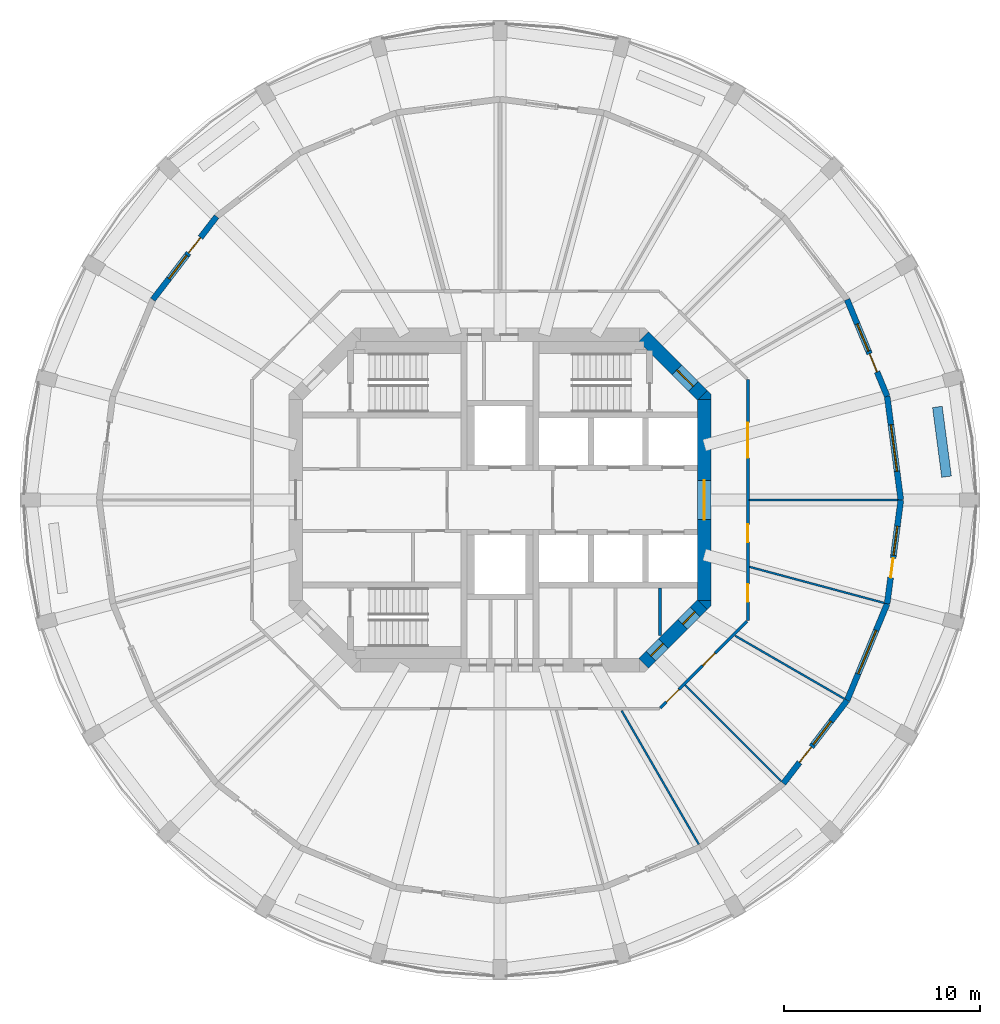
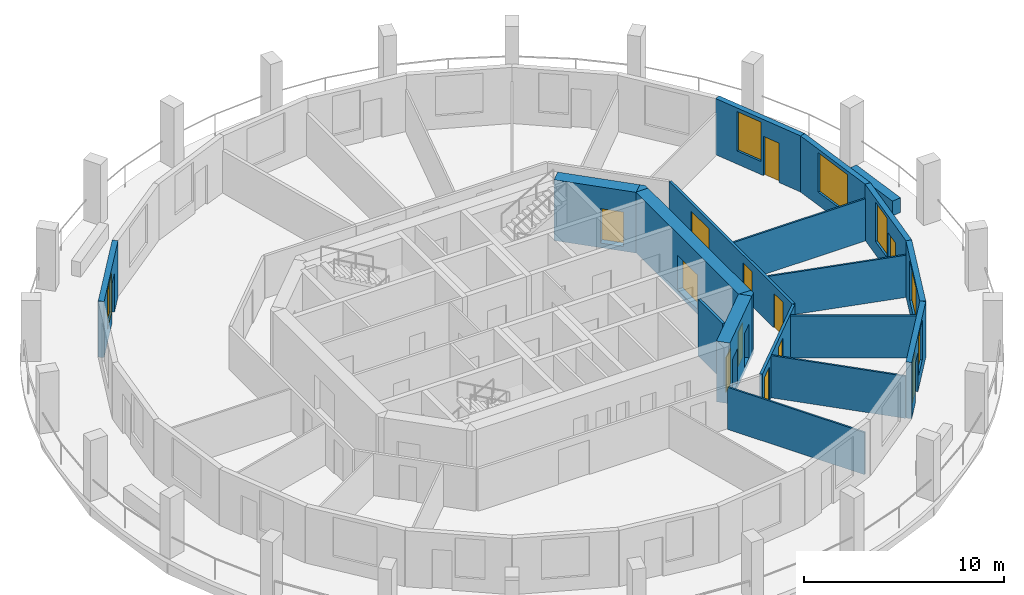
# One storey, part 5 of 9: 20 walls, 13 doors, 6 windows, 19 openings.
"""IFC4 building model written with IfcOpenShell, lengths in metres."""

from ifc_helpers import new_model, si_unit, direction, frame, frame_2d, origin, place, context, subcontext, project, spatial, polyline, rectangle, outline, extrude, material, layer, layer_set, type_object, element, fill, save


model = new_model("IFC4")

# Units and contexts
model_context = context("Model", 3, precision=1e-05, world=origin(), true_north=direction((0.0, 1.0)))
body_context = subcontext(model_context, "Body", "Model", "MODEL_VIEW")
ifc_project = project(units=[si_unit("LENGTHUNIT", "METRE"), si_unit("AREAUNIT", "SQUARE_METRE"), si_unit("VOLUMEUNIT", "CUBIC_METRE"), si_unit("PLANEANGLEUNIT", "RADIAN"), si_unit("MASSUNIT", "GRAM", prefix="KILO")], contexts=[model_context])

# Site, building, storey
site_placement = place(None, origin())
site = spatial("IfcSite", under=ifc_project, at=site_placement, CompositionType="ELEMENT")
building_placement = place(site_placement, origin())
building = spatial("IfcBuilding", under=site, at=building_placement, Name="Torre Triforio", CompositionType="ELEMENT")
storey_placement = place(building_placement, frame((0.0, 0.0, 229.800048828125)))
storey = spatial("IfcBuildingStorey", under=building, at=storey_placement, Name="L52", CompositionType="ELEMENT", Elevation=229.800048828125)

# Wall, opening, door
ifc_material_1 = material(Name="Concrete C50", Category="concrete")
ifc_layer_1 = layer(ifc_material_1, 0.699951171875)
ifc_layer_set_1 = layer_set([ifc_layer_1], Name="Concrete C50")
wall_type_1 = type_object("IfcWallType", Name="Core wall 700 mm C50 EI 120", PredefinedType="SHEAR", material=ifc_layer_set_1)
wall_1_placement = place(storey_placement, frame((10.449951171875, -5.1298828125, -0.280029296875), z_axis=(0.0, 0.0, 1.0), x_axis=(0.0, 1.0, 0.0)))
wall_1 = element("IfcWall", 1, at=wall_1_placement, inside=storey, type_object=wall_type_1, Name="Core wall", PredefinedType="SHEAR", context=body_context, shape_type="SweptSolid", body=[
    extrude(rectangle(XDim=10.259765625, YDim=0.699951171875, at=frame_2d((5.1298828125, 0.0))), origin(), (0.0, 0.0, 1.0), 3.699951171875),
])
opening_1_placement = place(wall_1_placement, frame((4.1298828125, 0.0, 0.280029296875)))
opening_1 = element("IfcOpeningElement", 2, at=opening_1_placement, cuts=wall_1, Name="Opening E-RING", PredefinedType="OPENING", context=body_context, shape_type="SweptSolid", body=[
    extrude(rectangle(XDim=2.0, YDim=2.10009765625, at=frame_2d((1.0, 1.050048828125))), frame((0.0, 0.35986328125, 0.0), z_axis=(0.0, -1.0, 0.0), x_axis=(1.0, 0.0, 0.0)), (0.0, 0.0, 1.0), 0.719970703125),
])
ifc_material_2 = material(Name="Hollow metal fire door leaf")
door_type_1 = type_object("IfcDoorType", Name="Lobby door 2000 x 2100 EI 60", OperationType="DOUBLE_DOOR_SINGLE_SWING", PredefinedType="DOOR", material=ifc_material_2)
door_1_placement = place(opening_1_placement, origin())
door_1 = element("IfcDoor", 3, at=door_1_placement, inside=storey, type_object=door_type_1, Name="Core door E-RING", OperationType="DOUBLE_DOOR_SINGLE_SWING", OverallHeight=2.10009765625, OverallWidth=2.0, PredefinedType="DOOR", context=body_context, shape_type="SweptSolid", body=[
    extrude(rectangle(XDim=2.0, YDim=2.10009765625, at=frame_2d((1.0, 1.050048828125))), frame((0.0, 0.02490234375, 0.0), z_axis=(0.0, -1.0, 0.0), x_axis=(1.0, 0.0, 0.0)), (0.0, 0.0, 1.0), 0.050048828125),
])
fill(opening_1, door_1)

wall_2_placement = place(storey_placement, frame((7.347412109375, 8.347412109375, -0.280029296875), z_axis=(0.0, 0.0, 1.0), x_axis=(0.707106781187, -0.707106781187, 0.0)))
wall_2 = element("IfcWall", 4, at=wall_2_placement, inside=storey, type_object=wall_type_1, Name="Core wall", PredefinedType="SHEAR", context=body_context, shape_type="SweptSolid", body=[
    extrude(rectangle(XDim=4.24267578125, YDim=0.699951171875, at=frame_2d((2.121337890625, 0.0))), origin(), (0.0, 0.0, 1.0), 3.699951171875),
])
opening_2_placement = place(wall_2_placement, frame((2.392578125, 0.0, 0.280029296875)))
opening_2 = element("IfcOpeningElement", 5, at=opening_2_placement, cuts=wall_2, Name="Opening ST2-EXIT", PredefinedType="OPENING", context=body_context, shape_type="SweptSolid", body=[
    extrude(rectangle(XDim=1.199951171875, YDim=2.10009765625, at=frame_2d((0.60009765625, 1.050048828125))), frame((0.0, 0.35986328125, 0.0), z_axis=(0.0, -1.0, 0.0), x_axis=(1.0, 0.0, 0.0)), (0.0, 0.0, 1.0), 0.719970703125),
])
door_type_2 = type_object("IfcDoorType", Name="Stair lobby door 1200 x 2100 EI 60", OperationType="NOTDEFINED", PredefinedType="DOOR", material=ifc_material_2)
door_2_placement = place(opening_2_placement, origin())
door_2 = element("IfcDoor", 6, at=door_2_placement, inside=storey, type_object=door_type_2, Name="Core door ST2-EXIT", OperationType="SINGLE_SWING_RIGHT", OverallHeight=2.10009765625, OverallWidth=1.199951171875, PredefinedType="DOOR", context=body_context, shape_type="SweptSolid", body=[
    extrude(rectangle(XDim=1.199951171875, YDim=2.10009765625, at=frame_2d((0.60009765625, 1.050048828125))), frame((0.0, 0.02490234375, 0.0), z_axis=(0.0, -1.0, 0.0), x_axis=(1.0, 0.0, 0.0)), (0.0, 0.0, 1.0), 0.050048828125),
])
fill(opening_2, door_2)

# Wall, openings, doors
wall_3_placement = place(storey_placement, frame((10.347412109375, -5.347412109375, -0.280029296875), z_axis=(0.0, 0.0, 1.0), x_axis=(-0.707106781187, -0.707106781187, 0.0)))
wall_3 = element("IfcWall", 7, at=wall_3_placement, inside=storey, type_object=wall_type_1, Name="Core wall", PredefinedType="SHEAR", context=body_context, shape_type="SweptSolid", body=[
    extrude(rectangle(XDim=4.24267578125, YDim=0.699951171875, at=frame_2d((2.121337890625, 0.0))), origin(), (0.0, 0.0, 1.0), 3.699951171875),
])
opening_3_placement = place(wall_3_placement, frame((2.82275390625, 0.0, 0.280029296875)))
opening_3 = element("IfcOpeningElement", 8, at=opening_3_placement, cuts=wall_3, Name="Opening SE-03", PredefinedType="OPENING", context=body_context, shape_type="SweptSolid", body=[
    extrude(rectangle(XDim=0.89990234375, YDim=2.10009765625, at=frame_2d((0.449951171875, 1.050048828125))), frame((0.0, 0.35986328125, 0.0), z_axis=(0.0, -1.0, 0.0), x_axis=(1.0, 0.0, 0.0)), (0.0, 0.0, 1.0), 0.719970703125),
])
opening_4_placement = place(wall_3_placement, frame((0.52001953125, 0.0, 0.280029296875)))
opening_4 = element("IfcOpeningElement", 9, at=opening_4_placement, cuts=wall_3, Name="Opening SE-04", PredefinedType="OPENING", context=body_context, shape_type="SweptSolid", body=[
    extrude(rectangle(XDim=0.89990234375, YDim=2.10009765625, at=frame_2d((0.449951171875, 1.050048828125))), frame((0.0, 0.35986328125, 0.0), z_axis=(0.0, -1.0, 0.0), x_axis=(1.0, 0.0, 0.0)), (0.0, 0.0, 1.0), 0.719970703125),
])
door_type_3 = type_object("IfcDoorType", Name="Room door 900 x 2100 EI 60", OperationType="NOTDEFINED", PredefinedType="DOOR", material=ifc_material_2)
door_3_placement = place(opening_3_placement, origin())
door_3 = element("IfcDoor", 10, at=door_3_placement, inside=storey, type_object=door_type_3, Name="Core door SE-03", OperationType="SINGLE_SWING_RIGHT", OverallHeight=2.10009765625, OverallWidth=0.89990234375, PredefinedType="DOOR", context=body_context, shape_type="SweptSolid", body=[
    extrude(rectangle(XDim=0.89990234375, YDim=2.10009765625, at=frame_2d((0.449951171875, 1.050048828125))), frame((0.0, 0.02490234375, 0.0), z_axis=(0.0, -1.0, 0.0), x_axis=(1.0, 0.0, 0.0)), (0.0, 0.0, 1.0), 0.050048828125),
])
fill(opening_3, door_3)
door_4_placement = place(opening_4_placement, origin())
door_4 = element("IfcDoor", 11, at=door_4_placement, inside=storey, type_object=door_type_3, Name="Core door SE-04", OperationType="SINGLE_SWING_LEFT", OverallHeight=2.10009765625, OverallWidth=0.89990234375, PredefinedType="DOOR", context=body_context, shape_type="SweptSolid", body=[
    extrude(rectangle(XDim=0.89990234375, YDim=2.10009765625, at=frame_2d((0.449951171875, 1.050048828125))), frame((0.0, 0.02490234375, 0.0), z_axis=(0.0, -1.0, 0.0), x_axis=(1.0, 0.0, 0.0)), (0.0, 0.0, 1.0), 0.050048828125),
])
fill(opening_4, door_4)

# Walls
wall_4_placement = place(storey_placement, frame((0.0, 0.0, -0.280029296875)))
element("IfcWall", 12, at=wall_4_placement, inside=storey, type_object=wall_type_1, Name="Core wall", PredefinedType="SHEAR", context=body_context, shape_type="SweptSolid", body=[
    extrude(outline(polyline([(10.800048828125, -5.389892578125), (10.594970703125, -5.594970703125), (10.594970703125, -5.594970703125), (10.594970703125, -5.594970703125), (10.1298828125, -5.1298828125), (10.800048828125, -5.1298828125), (10.800048828125, -5.1298828125), (10.800048828125, -5.389892578125)])), origin(), (0.0, 0.0, 1.0), 3.699951171875),
])
wall_5_placement = place(storey_placement, frame((0.0, 0.0, -0.280029296875)))
element("IfcWall", 13, at=wall_5_placement, inside=storey, type_object=wall_type_1, Name="Core wall", PredefinedType="SHEAR", context=body_context, shape_type="SweptSolid", body=[
    extrude(outline(polyline([(10.800048828125, 5.389892578125), (10.800048828125, 5.1298828125), (10.800048828125, 5.1298828125), (10.1298828125, 5.1298828125), (10.594970703125, 5.594970703125), (10.594970703125, 5.594970703125), (10.594970703125, 5.594970703125), (10.800048828125, 5.389892578125)])), origin(), (0.0, 0.0, 1.0), 3.699951171875),
])

# Wall, openings, doors
ifc_material_3 = material(Name="Plasterboard on metal studs")
ifc_layer_2 = layer(ifc_material_3, 0.14990234375)
ifc_layer_set_2 = layer_set([ifc_layer_2], Name="Plasterboard on metal studs")
wall_type_2 = type_object("IfcWallType", Name="Corridor and tenancy wall 150 mm EI 60", PredefinedType="PARTITIONING", material=ifc_layer_set_2)
wall_6_placement = place(storey_placement, frame((12.637939453125, -6.20361328125, 0.0), z_axis=(0.0, 0.0, 1.0), x_axis=(-0.707106781187, -0.707106781187, 0.0)))
wall_6 = element("IfcWall", 14, at=wall_6_placement, inside=storey, type_object=wall_type_2, Name="Partition 1", PredefinedType="PARTITIONING", context=body_context, shape_type="SweptSolid", body=[
    extrude(rectangle(XDim=6.27099609375, YDim=0.14990234375, at=frame_2d((3.135498046875, 0.0))), origin(), (0.0, 0.0, 1.0), 2.570068359375),
])
opening_5_placement = place(wall_6_placement, frame((4.935302734375, 0.0, 0.0)))
opening_5 = element("IfcOpeningElement", 15, at=opening_5_placement, cuts=wall_6, Name="Opening O7-07", PredefinedType="OPENING", context=body_context, shape_type="SweptSolid", body=[
    extrude(rectangle(XDim=0.89990234375, YDim=2.10009765625, at=frame_2d((0.449951171875, 1.050048828125))), frame((0.0, 0.0849609375, 0.0), z_axis=(0.0, -1.0, 0.0), x_axis=(1.0, 0.0, 0.0)), (0.0, 0.0, 1.0), 0.169921875),
])
opening_6_placement = place(wall_6_placement, frame((2.313720703125, 0.0, 0.0)))
opening_6 = element("IfcOpeningElement", 16, at=opening_6_placement, cuts=wall_6, Name="Opening O7-08", PredefinedType="OPENING", context=body_context, shape_type="SweptSolid", body=[
    extrude(rectangle(XDim=0.89990234375, YDim=2.10009765625, at=frame_2d((0.449951171875, 1.050048828125))), frame((0.0, 0.0849609375, 0.0), z_axis=(0.0, -1.0, 0.0), x_axis=(1.0, 0.0, 0.0)), (0.0, 0.0, 1.0), 0.169921875),
])
ifc_material_4 = material(Name="Timber", Category="wood")
door_type_4 = type_object("IfcDoorType", Name="Door 900 x 2100 single leaf EI 30", OperationType="NOTDEFINED", PredefinedType="DOOR", material=ifc_material_4)
door_5_placement = place(opening_5_placement, origin())
door_5 = element("IfcDoor", 17, at=door_5_placement, inside=storey, type_object=door_type_4, Name="Door O7-07", OperationType="SINGLE_SWING_LEFT", OverallHeight=2.10009765625, OverallWidth=0.89990234375, PredefinedType="DOOR", context=body_context, shape_type="SweptSolid", body=[
    extrude(rectangle(XDim=0.89990234375, YDim=2.10009765625, at=frame_2d((0.449951171875, 1.050048828125))), frame((0.0, 0.02490234375, 0.0), z_axis=(0.0, -1.0, 0.0), x_axis=(1.0, 0.0, 0.0)), (0.0, 0.0, 1.0), 0.050048828125),
])
fill(opening_5, door_5)
door_6_placement = place(opening_6_placement, origin())
door_6 = element("IfcDoor", 18, at=door_6_placement, inside=storey, type_object=door_type_4, Name="Door O7-08", OperationType="SINGLE_SWING_LEFT", OverallHeight=2.10009765625, OverallWidth=0.89990234375, PredefinedType="DOOR", context=body_context, shape_type="SweptSolid", body=[
    extrude(rectangle(XDim=0.89990234375, YDim=2.10009765625, at=frame_2d((0.449951171875, 1.050048828125))), frame((0.0, 0.02490234375, 0.0), z_axis=(0.0, -1.0, 0.0), x_axis=(1.0, 0.0, 0.0)), (0.0, 0.0, 1.0), 0.050048828125),
])
fill(opening_6, door_6)

wall_7_placement = place(storey_placement, frame((12.675048828125, 6.16650390625, 0.0), z_axis=(0.0, 0.0, 1.0), x_axis=(0.0, -1.0, 0.0)))
wall_7 = element("IfcWall", 19, at=wall_7_placement, inside=storey, type_object=wall_type_2, Name="Partition 10", PredefinedType="PARTITIONING", context=body_context, shape_type="SweptSolid", body=[
    extrude(rectangle(XDim=12.3330078125, YDim=0.14990234375, at=frame_2d((6.16650390625, 0.0))), origin(), (0.0, 0.0, 1.0), 2.570068359375),
])
opening_7_placement = place(wall_7_placement, frame((10.47314453125, 0.0, 0.0)))
opening_7 = element("IfcOpeningElement", 20, at=opening_7_placement, cuts=wall_7, Name="Opening O7-09", PredefinedType="OPENING", context=body_context, shape_type="SweptSolid", body=[
    extrude(rectangle(XDim=0.89990234375, YDim=2.10009765625, at=frame_2d((0.449951171875, 1.050048828125))), frame((0.0, 0.0849609375, 0.0), z_axis=(0.0, -1.0, 0.0), x_axis=(1.0, 0.0, 0.0)), (0.0, 0.0, 1.0), 0.169921875),
])
opening_8_placement = place(wall_7_placement, frame((7.41552734375, 0.0, 0.0)))
opening_8 = element("IfcOpeningElement", 21, at=opening_8_placement, cuts=wall_7, Name="Opening O7-10", PredefinedType="OPENING", context=body_context, shape_type="SweptSolid", body=[
    extrude(rectangle(XDim=0.89990234375, YDim=2.10009765625, at=frame_2d((0.449951171875, 1.050048828125))), frame((0.0, 0.0849609375, 0.0), z_axis=(0.0, -1.0, 0.0), x_axis=(1.0, 0.0, 0.0)), (0.0, 0.0, 1.0), 0.169921875),
])
opening_9_placement = place(wall_7_placement, frame((2.208251953125, 0.0, 0.0)))
opening_9 = element("IfcOpeningElement", 22, at=opening_9_placement, cuts=wall_7, Name="Opening O7-11", PredefinedType="OPENING", context=body_context, shape_type="SweptSolid", body=[
    extrude(rectangle(XDim=1.800048828125, YDim=2.10009765625, at=frame_2d((0.89990234375, 1.050048828125))), frame((0.0, 0.0849609375, 0.0), z_axis=(0.0, -1.0, 0.0), x_axis=(1.0, 0.0, 0.0)), (0.0, 0.0, 1.0), 0.169921875),
])
door_type_5 = type_object("IfcDoorType", Name="Door 1800 x 2100 double leaf EI 30", OperationType="DOUBLE_DOOR_SINGLE_SWING", PredefinedType="DOOR", material=ifc_material_4)
door_7_placement = place(opening_9_placement, origin())
door_7 = element("IfcDoor", 23, at=door_7_placement, inside=storey, type_object=door_type_5, Name="Door O7-11", OperationType="DOUBLE_DOOR_SINGLE_SWING", OverallHeight=2.10009765625, OverallWidth=1.800048828125, PredefinedType="DOOR", context=body_context, shape_type="SweptSolid", body=[
    extrude(rectangle(XDim=1.800048828125, YDim=2.10009765625, at=frame_2d((0.89990234375, 1.050048828125))), frame((0.0, 0.02490234375, 0.0), z_axis=(0.0, -1.0, 0.0), x_axis=(1.0, 0.0, 0.0)), (0.0, 0.0, 1.0), 0.050048828125),
])
fill(opening_9, door_7)
door_8_placement = place(opening_7_placement, origin())
door_8 = element("IfcDoor", 24, at=door_8_placement, inside=storey, type_object=door_type_4, Name="Door O7-09", OperationType="SINGLE_SWING_RIGHT", OverallHeight=2.10009765625, OverallWidth=0.89990234375, PredefinedType="DOOR", context=body_context, shape_type="SweptSolid", body=[
    extrude(rectangle(XDim=0.89990234375, YDim=2.10009765625, at=frame_2d((0.449951171875, 1.050048828125))), frame((0.0, 0.02490234375, 0.0), z_axis=(0.0, -1.0, 0.0), x_axis=(1.0, 0.0, 0.0)), (0.0, 0.0, 1.0), 0.050048828125),
])
fill(opening_7, door_8)
door_9_placement = place(opening_8_placement, origin())
door_9 = element("IfcDoor", 25, at=door_9_placement, inside=storey, type_object=door_type_4, Name="Door O7-10", OperationType="SINGLE_SWING_LEFT", OverallHeight=2.10009765625, OverallWidth=0.89990234375, PredefinedType="DOOR", context=body_context, shape_type="SweptSolid", body=[
    extrude(rectangle(XDim=0.89990234375, YDim=2.10009765625, at=frame_2d((0.449951171875, 1.050048828125))), frame((0.0, 0.02490234375, 0.0), z_axis=(0.0, -1.0, 0.0), x_axis=(1.0, 0.0, 0.0)), (0.0, 0.0, 1.0), 0.050048828125),
])
fill(opening_8, door_9)

# Walls
ifc_layer_3 = layer(ifc_material_3, 0.10009765625)
ifc_layer_set_3 = layer_set([ifc_layer_3], Name="Plasterboard on metal studs")
wall_type_3 = type_object("IfcWallType", Name="Partition 100 mm board on metal studs", PredefinedType="PARTITIONING", material=ifc_layer_set_3)
wall_8_placement = place(storey_placement, frame((12.75, 0.0, 0.0), z_axis=(0.0, 0.0, 1.0), x_axis=(1.0, 0.0, 0.0)))
element("IfcWall", 26, at=wall_8_placement, inside=storey, type_object=wall_type_3, Name="Partition 11", PredefinedType="PARTITIONING", context=body_context, shape_type="SweptSolid", body=[
    extrude(rectangle(XDim=7.586669921875, YDim=0.10009765625, at=frame_2d((3.79345703125, 0.0))), origin(), (0.0, 0.0, 1.0), 2.570068359375),
])
wall_9_placement = place(storey_placement, frame((6.220703125, -10.774658203125, 0.0), z_axis=(0.0, 0.0, 1.0), x_axis=(0.500016891966, -0.866015650984, 0.0)))
element("IfcWall", 27, at=wall_9_placement, inside=storey, type_object=wall_type_3, Name="Partition 23", PredefinedType="PARTITIONING", context=body_context, shape_type="SweptSolid", body=[
    extrude(rectangle(XDim=7.895263671875, YDim=0.10009765625, at=frame_2d((3.94775390625, 0.0))), origin(), (0.0, 0.0, 1.0), 2.570068359375),
])
wall_10_placement = place(storey_placement, frame((9.473876953125, -9.473876953125, 0.0), z_axis=(0.0, 0.0, 1.0), x_axis=(0.707106781187, -0.707106781187, 0.0)))
element("IfcWall", 28, at=wall_10_placement, inside=storey, type_object=wall_type_3, Name="Partition 24", PredefinedType="PARTITIONING", context=body_context, shape_type="SweptSolid", body=[
    extrude(rectangle(XDim=6.9384765625, YDim=0.10009765625, at=frame_2d((3.46923828125, 0.0))), origin(), (0.0, 0.0, 1.0), 2.570068359375),
])
wall_11_placement = place(storey_placement, frame((12.025146484375, -6.94287109375, 0.0), z_axis=(0.0, 0.0, 1.0), x_axis=(0.866026773083, -0.499997628298, 0.0)))
element("IfcWall", 29, at=wall_11_placement, inside=storey, type_object=wall_type_3, Name="Partition 25", PredefinedType="PARTITIONING", context=body_context, shape_type="SweptSolid", body=[
    extrude(rectangle(XDim=6.451171875, YDim=0.10009765625, at=frame_2d((3.2255859375, 0.0))), origin(), (0.0, 0.0, 1.0), 2.570068359375),
])
wall_12_placement = place(storey_placement, frame((12.764404296875, -3.420166015625, 0.0), z_axis=(0.0, 0.0, 1.0), x_axis=(0.965928160208, -0.258810334643, 0.0)))
element("IfcWall", 30, at=wall_12_placement, inside=storey, type_object=wall_type_3, Name="Partition 26", PredefinedType="PARTITIONING", context=body_context, shape_type="SweptSolid", body=[
    extrude(rectangle(XDim=7.1220703125, YDim=0.10009765625, at=frame_2d((3.56103515625, 0.0))), origin(), (0.0, 0.0, 1.0), 2.570068359375),
])
ifc_material_5 = material(Name="Block and board partition")
ifc_layer_4 = layer(ifc_material_5, 0.14990234375)
ifc_layer_set_4 = layer_set([ifc_layer_4], Name="Block and board partition")
wall_type_4 = type_object("IfcWallType", Name="Partition 150 mm", PredefinedType="PARTITIONING", material=ifc_layer_set_4)
wall_13_placement = place(storey_placement, frame((8.18896484375, -6.93603515625, 0.0), z_axis=(0.0, 0.0, 1.0), x_axis=(0.0, 1.0, 0.0)))
element("IfcWall", 31, at=wall_13_placement, inside=storey, type_object=wall_type_4, Name="Partition", PredefinedType="PARTITIONING", context=body_context, shape_type="SweptSolid", body=[
    extrude(rectangle(XDim=2.43603515625, YDim=0.14990234375, at=frame_2d((1.218017578125, 0.0))), origin(), (0.0, 0.0, 1.0), 3.419921875),
])
ifc_material_6 = material(Name="Limestone cladding", Category="masonry")
ifc_layer_5 = layer(ifc_material_6, 0.10009765625)
ifc_material_7 = material(Name="Concrete C40", Category="concrete")
ifc_layer_6 = layer(ifc_material_7, 0.39990234375)
ifc_layer_set_5 = layer_set([ifc_layer_5, ifc_layer_6], Name="Limestone cladding / Concrete C40")
wall_type_5 = type_object("IfcWallType", Name="Planter wall 500", PredefinedType="PARAPET", material=ifc_layer_set_5)
wall_14_placement = place(storey_placement, frame((22.83984375, 1.19140625, 0.0), z_axis=(0.0, 0.0, 1.0), x_axis=(-0.130484336385, 0.9914503709, 0.0)))
element("IfcWall", 32, at=wall_14_placement, inside=storey, type_object=wall_type_5, Name="Planter L52 bay 01", PredefinedType="PARAPET", context=body_context, shape_type="SweptSolid", body=[
    extrude(rectangle(XDim=3.599853515625, YDim=0.5, at=frame_2d((1.7998046875, 0.0))), origin(), (0.0, 0.0, 1.0), 0.89990234375),
])

# Wall, opening, window
ifc_layer_7 = layer(ifc_material_6, 0.10009765625)
ifc_layer_8 = layer(ifc_material_7, 0.199951171875)
ifc_layer_set_6 = layer_set([ifc_layer_7, ifc_layer_8], Name="Limestone cladding / Concrete C40")
wall_type_6 = type_object("IfcWallType", Name="Stone-faced composite wall 300", PredefinedType="STANDARD", material=ifc_layer_set_6)
wall_15_placement = place(storey_placement, frame((20.5, 0.0, 0.0), z_axis=(0.0, 0.0, 1.0), x_axis=(-0.130517056518, 0.991446064069, 0.0)))
wall_15 = element("IfcWall", 33, at=wall_15_placement, inside=storey, type_object=wall_type_6, Name="External wall L52 bay 01", PredefinedType="STANDARD", context=body_context, shape_type="SweptSolid", body=[
    extrude(rectangle(XDim=5.351806640625, YDim=0.300048828125, at=frame_2d((2.67578125, 0.0))), origin(), (0.0, 0.0, 1.0), 3.419921875),
])
opening_10_placement = place(wall_15_placement, frame((1.475830078125, 0.0, 0.800048828125)))
opening_10 = element("IfcOpeningElement", 34, at=opening_10_placement, cuts=wall_15, Name="Opening O7-W01", PredefinedType="OPENING", context=body_context, shape_type="SweptSolid", body=[
    extrude(rectangle(XDim=2.39990234375, YDim=2.39990234375, at=frame_2d((1.199951171875, 1.199951171875))), frame((0.0, 0.159912109375, 0.0), z_axis=(0.0, -1.0, 0.0), x_axis=(1.0, 0.0, 0.0)), (0.0, 0.0, 1.0), 0.320068359375),
])
ifc_material_8 = material(Name="Aluminium frame with clear double glazing", Category="aluminium")
window_type_1 = type_object("IfcWindowType", Name="Punched window 2400 x 2400", PartitioningType="DOUBLE_PANEL_VERTICAL", PredefinedType="WINDOW", material=ifc_material_8)
window_1_placement = place(opening_10_placement, origin())
window_1 = element("IfcWindow", 35, at=window_1_placement, inside=storey, type_object=window_type_1, Name="Window EWN4 L52 bay 01", OverallHeight=2.39990234375, OverallWidth=2.39990234375, PartitioningType="SINGLE_PANEL", PredefinedType="WINDOW", context=body_context, shape_type="SweptSolid", body=[
    extrude(rectangle(XDim=2.39990234375, YDim=2.39990234375, at=frame_2d((1.199951171875, 1.199951171875))), frame((0.0, 0.030029296875, 0.0), z_axis=(0.0, -1.0, 0.0), x_axis=(1.0, 0.0, 0.0)), (0.0, 0.0, 1.0), 0.06005859375),
])
fill(opening_10, window_1)

# Wall, openings, door, window
wall_16_placement = place(storey_placement, frame((19.801513671875, 5.305908203125, 0.0), z_axis=(0.0, 0.0, 1.0), x_axis=(-0.382713071139, 0.923867255172, 0.0)))
wall_16 = element("IfcWall", 36, at=wall_16_placement, inside=storey, type_object=wall_type_6, Name="External wall L52 bay 02", PredefinedType="STANDARD", context=body_context, shape_type="SweptSolid", body=[
    extrude(rectangle(XDim=5.3515625, YDim=0.300048828125, at=frame_2d((2.67578125, 0.0))), origin(), (0.0, 0.0, 1.0), 3.419921875),
])
opening_11_placement = place(wall_16_placement, frame((1.350830078125, 0.0, 0.0)))
opening_11 = element("IfcOpeningElement", 37, at=opening_11_placement, cuts=wall_16, Name="Opening O7-D02", PredefinedType="OPENING", context=body_context, shape_type="SweptSolid", body=[
    extrude(rectangle(XDim=1.0, YDim=2.39990234375, at=frame_2d((0.5, 1.199951171875))), frame((0.0, 0.159912109375, 0.0), z_axis=(0.0, -1.0, 0.0), x_axis=(1.0, 0.0, 0.0)), (0.0, 0.0, 1.0), 0.320068359375),
])
opening_12_placement = place(wall_16_placement, frame((2.500732421875, 0.0, 0.800048828125)))
opening_12 = element("IfcOpeningElement", 38, at=opening_12_placement, cuts=wall_16, Name="Opening O7-W02A", PredefinedType="OPENING", context=body_context, shape_type="SweptSolid", body=[
    extrude(rectangle(XDim=1.5, YDim=2.39990234375, at=frame_2d((0.75, 1.199951171875))), frame((0.0, 0.159912109375, 0.0), z_axis=(0.0, -1.0, 0.0), x_axis=(1.0, 0.0, 0.0)), (0.0, 0.0, 1.0), 0.320068359375),
])
door_type_6 = type_object("IfcDoorType", Name="Loggia door 1000 x 2400", OperationType="NOTDEFINED", PredefinedType="DOOR", material=ifc_material_8)
door_10_placement = place(opening_11_placement, origin())
door_10 = element("IfcDoor", 39, at=door_10_placement, inside=storey, type_object=door_type_6, Name="Loggia door L52 bay 02", OperationType="SINGLE_SWING_LEFT", OverallHeight=2.39990234375, OverallWidth=1.0, PredefinedType="DOOR", context=body_context, shape_type="SweptSolid", body=[
    extrude(rectangle(XDim=1.0, YDim=2.39990234375, at=frame_2d((0.5, 1.199951171875))), frame((0.0, 0.02490234375, 0.0), z_axis=(0.0, -1.0, 0.0), x_axis=(1.0, 0.0, 0.0)), (0.0, 0.0, 1.0), 0.050048828125),
])
fill(opening_11, door_10)
window_type_2 = type_object("IfcWindowType", Name="Side window 1500 x 2400", PartitioningType="SINGLE_PANEL", PredefinedType="WINDOW", material=ifc_material_8)
window_2_placement = place(opening_12_placement, origin())
window_2 = element("IfcWindow", 40, at=window_2_placement, inside=storey, type_object=window_type_2, Name="Side window EWN14 L52 bay 02", OverallHeight=2.39990234375, OverallWidth=1.5, PartitioningType="SINGLE_PANEL", PredefinedType="WINDOW", context=body_context, shape_type="SweptSolid", body=[
    extrude(rectangle(XDim=1.5, YDim=2.39990234375, at=frame_2d((0.75, 1.199951171875))), frame((0.0, 0.030029296875, 0.0), z_axis=(0.0, -1.0, 0.0), x_axis=(1.0, 0.0, 0.0)), (0.0, 0.0, 1.0), 0.06005859375),
])
fill(opening_12, window_2)

wall_17_placement = place(storey_placement, frame((-14.49560546875, 14.49560546875, 0.0), z_axis=(0.0, 0.0, 1.0), x_axis=(-0.60876670321, -0.793349293227, 0.0)))
wall_17 = element("IfcWall", 41, at=wall_17_placement, inside=storey, type_object=wall_type_6, Name="External wall L52 bay 10", PredefinedType="STANDARD", context=body_context, shape_type="SweptSolid", body=[
    extrude(rectangle(XDim=5.3515625, YDim=0.300048828125, at=frame_2d((2.67578125, 0.0))), origin(), (0.0, 0.0, 1.0), 3.419921875),
])
opening_13_placement = place(wall_17_placement, frame((1.350830078125, 0.0, 0.0)))
opening_13 = element("IfcOpeningElement", 42, at=opening_13_placement, cuts=wall_17, Name="Opening O7-D10", PredefinedType="OPENING", context=body_context, shape_type="SweptSolid", body=[
    extrude(rectangle(XDim=1.0, YDim=2.39990234375, at=frame_2d((0.5, 1.199951171875))), frame((0.0, 0.159912109375, 0.0), z_axis=(0.0, -1.0, 0.0), x_axis=(1.0, 0.0, 0.0)), (0.0, 0.0, 1.0), 0.320068359375),
])
opening_14_placement = place(wall_17_placement, frame((2.500732421875, 0.0, 0.800048828125)))
opening_14 = element("IfcOpeningElement", 43, at=opening_14_placement, cuts=wall_17, Name="Opening O7-W10A", PredefinedType="OPENING", context=body_context, shape_type="SweptSolid", body=[
    extrude(rectangle(XDim=1.5, YDim=2.39990234375, at=frame_2d((0.75, 1.199951171875))), frame((0.0, 0.159912109375, 0.0), z_axis=(0.0, -1.0, 0.0), x_axis=(1.0, 0.0, 0.0)), (0.0, 0.0, 1.0), 0.320068359375),
])
door_11_placement = place(opening_13_placement, origin())
door_11 = element("IfcDoor", 44, at=door_11_placement, inside=storey, type_object=door_type_6, Name="Loggia door L52 bay 10", OperationType="SINGLE_SWING_LEFT", OverallHeight=2.39990234375, OverallWidth=1.0, PredefinedType="DOOR", context=body_context, shape_type="SweptSolid", body=[
    extrude(rectangle(XDim=1.0, YDim=2.39990234375, at=frame_2d((0.5, 1.199951171875))), frame((0.0, 0.02490234375, 0.0), z_axis=(0.0, -1.0, 0.0), x_axis=(1.0, 0.0, 0.0)), (0.0, 0.0, 1.0), 0.050048828125),
])
fill(opening_13, door_11)
window_3_placement = place(opening_14_placement, origin())
window_3 = element("IfcWindow", 45, at=window_3_placement, inside=storey, type_object=window_type_2, Name="Side window EWN14 L52 bay 10", OverallHeight=2.39990234375, OverallWidth=1.5, PartitioningType="SINGLE_PANEL", PredefinedType="WINDOW", context=body_context, shape_type="SweptSolid", body=[
    extrude(rectangle(XDim=1.5, YDim=2.39990234375, at=frame_2d((0.75, 1.199951171875))), frame((0.0, 0.030029296875, 0.0), z_axis=(0.0, -1.0, 0.0), x_axis=(1.0, 0.0, 0.0)), (0.0, 0.0, 1.0), 0.06005859375),
])
fill(opening_14, window_3)

wall_18_placement = place(storey_placement, frame((14.49560546875, -14.49560546875, 0.0), z_axis=(0.0, 0.0, 1.0), x_axis=(0.60876670321, 0.793349293227, 0.0)))
wall_18 = element("IfcWall", 46, at=wall_18_placement, inside=storey, type_object=wall_type_6, Name="External wall L52 bay 22", PredefinedType="STANDARD", context=body_context, shape_type="SweptSolid", body=[
    extrude(rectangle(XDim=5.3515625, YDim=0.300048828125, at=frame_2d((2.67578125, 0.0))), origin(), (0.0, 0.0, 1.0), 3.419921875),
])
opening_15_placement = place(wall_18_placement, frame((1.350830078125, 0.0, 0.0)))
opening_15 = element("IfcOpeningElement", 47, at=opening_15_placement, cuts=wall_18, Name="Opening O7-D22", PredefinedType="OPENING", context=body_context, shape_type="SweptSolid", body=[
    extrude(rectangle(XDim=1.0, YDim=2.39990234375, at=frame_2d((0.5, 1.199951171875))), frame((0.0, 0.159912109375, 0.0), z_axis=(0.0, -1.0, 0.0), x_axis=(1.0, 0.0, 0.0)), (0.0, 0.0, 1.0), 0.320068359375),
])
opening_16_placement = place(wall_18_placement, frame((2.500732421875, 0.0, 0.800048828125)))
opening_16 = element("IfcOpeningElement", 48, at=opening_16_placement, cuts=wall_18, Name="Opening O7-W22A", PredefinedType="OPENING", context=body_context, shape_type="SweptSolid", body=[
    extrude(rectangle(XDim=1.5, YDim=2.39990234375, at=frame_2d((0.75, 1.199951171875))), frame((0.0, 0.159912109375, 0.0), z_axis=(0.0, -1.0, 0.0), x_axis=(1.0, 0.0, 0.0)), (0.0, 0.0, 1.0), 0.320068359375),
])
door_12_placement = place(opening_15_placement, origin())
door_12 = element("IfcDoor", 49, at=door_12_placement, inside=storey, type_object=door_type_6, Name="Loggia door L52 bay 22", OperationType="SINGLE_SWING_LEFT", OverallHeight=2.39990234375, OverallWidth=1.0, PredefinedType="DOOR", context=body_context, shape_type="SweptSolid", body=[
    extrude(rectangle(XDim=1.0, YDim=2.39990234375, at=frame_2d((0.5, 1.199951171875))), frame((0.0, 0.02490234375, 0.0), z_axis=(0.0, -1.0, 0.0), x_axis=(1.0, 0.0, 0.0)), (0.0, 0.0, 1.0), 0.050048828125),
])
fill(opening_15, door_12)
window_4_placement = place(opening_16_placement, origin())
window_4 = element("IfcWindow", 50, at=window_4_placement, inside=storey, type_object=window_type_2, Name="Side window EWN14 L52 bay 22", OverallHeight=2.39990234375, OverallWidth=1.5, PartitioningType="SINGLE_PANEL", PredefinedType="WINDOW", context=body_context, shape_type="SweptSolid", body=[
    extrude(rectangle(XDim=1.5, YDim=2.39990234375, at=frame_2d((0.75, 1.199951171875))), frame((0.0, 0.030029296875, 0.0), z_axis=(0.0, -1.0, 0.0), x_axis=(1.0, 0.0, 0.0)), (0.0, 0.0, 1.0), 0.06005859375),
])
fill(opening_16, window_4)

# Wall, opening, window
wall_19_placement = place(storey_placement, frame((17.75341796875, -10.25, 0.0), z_axis=(0.0, 0.0, 1.0), x_axis=(0.382713071139, 0.923867255172, 0.0)))
wall_19 = element("IfcWall", 51, at=wall_19_placement, inside=storey, type_object=wall_type_6, Name="External wall L52 bay 23", PredefinedType="STANDARD", context=body_context, shape_type="SweptSolid", body=[
    extrude(rectangle(XDim=5.3515625, YDim=0.300048828125, at=frame_2d((2.67578125, 0.0))), origin(), (0.0, 0.0, 1.0), 3.419921875),
])
opening_17_placement = place(wall_19_placement, frame((1.475830078125, 0.0, 0.800048828125)))
opening_17 = element("IfcOpeningElement", 52, at=opening_17_placement, cuts=wall_19, Name="Opening O7-W23", PredefinedType="OPENING", context=body_context, shape_type="SweptSolid", body=[
    extrude(rectangle(XDim=2.39990234375, YDim=2.39990234375, at=frame_2d((1.199951171875, 1.199951171875))), frame((0.0, 0.159912109375, 0.0), z_axis=(0.0, -1.0, 0.0), x_axis=(1.0, 0.0, 0.0)), (0.0, 0.0, 1.0), 0.320068359375),
])
window_5_placement = place(opening_17_placement, origin())
window_5 = element("IfcWindow", 53, at=window_5_placement, inside=storey, type_object=window_type_1, Name="Window EWN4 L52 bay 23", OverallHeight=2.39990234375, OverallWidth=2.39990234375, PartitioningType="SINGLE_PANEL", PredefinedType="WINDOW", context=body_context, shape_type="SweptSolid", body=[
    extrude(rectangle(XDim=2.39990234375, YDim=2.39990234375, at=frame_2d((1.199951171875, 1.199951171875))), frame((0.0, 0.030029296875, 0.0), z_axis=(0.0, -1.0, 0.0), x_axis=(1.0, 0.0, 0.0)), (0.0, 0.0, 1.0), 0.06005859375),
])
fill(opening_17, window_5)

# Wall, openings, door, window
wall_20_placement = place(storey_placement, frame((19.801513671875, -5.305908203125, 0.0), z_axis=(0.0, 0.0, 1.0), x_axis=(0.130517056518, 0.991446064069, 0.0)))
wall_20 = element("IfcWall", 54, at=wall_20_placement, inside=storey, type_object=wall_type_6, Name="External wall L52 bay 24", PredefinedType="STANDARD", context=body_context, shape_type="SweptSolid", body=[
    extrude(rectangle(XDim=5.351806640625, YDim=0.300048828125, at=frame_2d((2.67578125, 0.0))), origin(), (0.0, 0.0, 1.0), 3.419921875),
])
opening_18_placement = place(wall_20_placement, frame((1.350830078125, 0.0, 0.0)))
opening_18 = element("IfcOpeningElement", 55, at=opening_18_placement, cuts=wall_20, Name="Opening O7-D24", PredefinedType="OPENING", context=body_context, shape_type="SweptSolid", body=[
    extrude(rectangle(XDim=1.0, YDim=2.39990234375, at=frame_2d((0.5, 1.199951171875))), frame((0.0, 0.159912109375, 0.0), z_axis=(0.0, -1.0, 0.0), x_axis=(1.0, 0.0, 0.0)), (0.0, 0.0, 1.0), 0.320068359375),
])
opening_19_placement = place(wall_20_placement, frame((2.500732421875, 0.0, 0.800048828125)))
opening_19 = element("IfcOpeningElement", 56, at=opening_19_placement, cuts=wall_20, Name="Opening O7-W24A", PredefinedType="OPENING", context=body_context, shape_type="SweptSolid", body=[
    extrude(rectangle(XDim=1.5, YDim=2.39990234375, at=frame_2d((0.75, 1.199951171875))), frame((0.0, 0.159912109375, 0.0), z_axis=(0.0, -1.0, 0.0), x_axis=(1.0, 0.0, 0.0)), (0.0, 0.0, 1.0), 0.320068359375),
])
door_13_placement = place(opening_18_placement, origin())
door_13 = element("IfcDoor", 57, at=door_13_placement, inside=storey, type_object=door_type_6, Name="Loggia door L52 bay 24", OperationType="SINGLE_SWING_LEFT", OverallHeight=2.39990234375, OverallWidth=1.0, PredefinedType="DOOR", context=body_context, shape_type="SweptSolid", body=[
    extrude(rectangle(XDim=1.0, YDim=2.39990234375, at=frame_2d((0.5, 1.199951171875))), frame((0.0, 0.02490234375, 0.0), z_axis=(0.0, -1.0, 0.0), x_axis=(1.0, 0.0, 0.0)), (0.0, 0.0, 1.0), 0.050048828125),
])
fill(opening_18, door_13)
window_6_placement = place(opening_19_placement, origin())
window_6 = element("IfcWindow", 58, at=window_6_placement, inside=storey, type_object=window_type_2, Name="Side window EWN14 L52 bay 24", OverallHeight=2.39990234375, OverallWidth=1.5, PartitioningType="SINGLE_PANEL", PredefinedType="WINDOW", context=body_context, shape_type="SweptSolid", body=[
    extrude(rectangle(XDim=1.5, YDim=2.39990234375, at=frame_2d((0.75, 1.199951171875))), frame((0.0, 0.030029296875, 0.0), z_axis=(0.0, -1.0, 0.0), x_axis=(1.0, 0.0, 0.0)), (0.0, 0.0, 1.0), 0.06005859375),
])
fill(opening_19, window_6)

save(model, "model.ifc")
